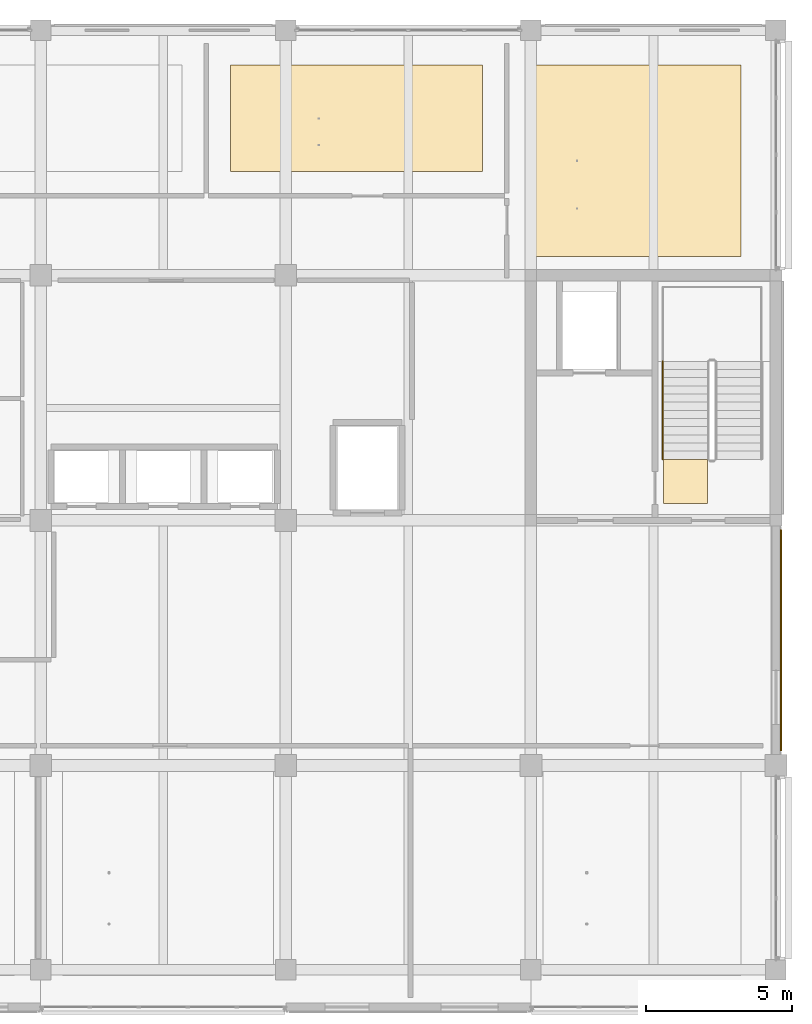
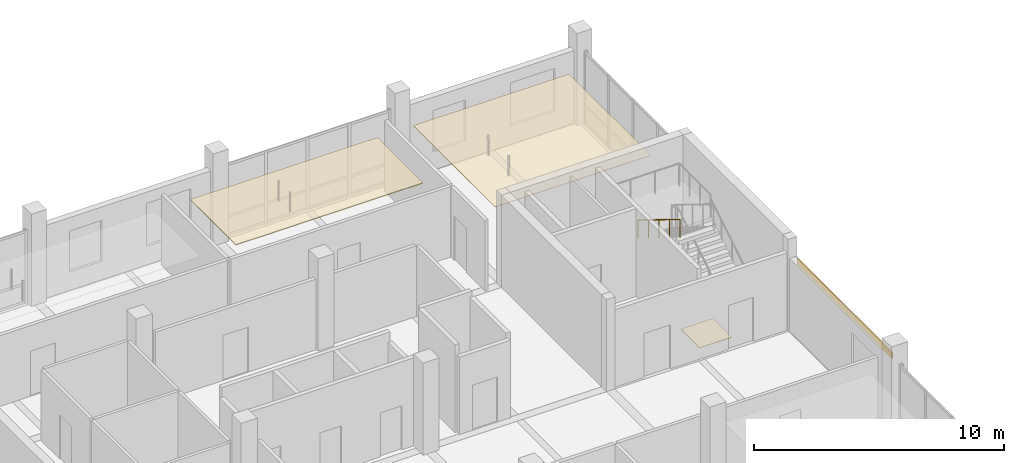
# One storey, part 28 of 32: 4 coverings, 1 railing.
"""IFC4 building model written with IfcOpenShell, lengths in metres."""

from ifc_helpers import new_model, si_unit, direction, frame, origin, origin_2d, place, context, subcontext, project, spatial, polyline, rectangle, circle, outline, extrude, material, layer, layer_set, type_object, element, save


model = new_model("IFC4")

# Units and contexts
model_context = context("Model", 3, precision=1e-05, world=origin(), true_north=direction((0.0, 1.0)))
body_context = subcontext(model_context, "Body", "Model", "MODEL_VIEW")
ifc_project = project(units=[si_unit("LENGTHUNIT", "METRE"), si_unit("AREAUNIT", "SQUARE_METRE"), si_unit("VOLUMEUNIT", "CUBIC_METRE"), si_unit("PLANEANGLEUNIT", "RADIAN"), si_unit("MASSUNIT", "GRAM", prefix="KILO")], contexts=[model_context])

# Site, building, storey
site_placement = place(None, origin())
site = spatial("IfcSite", under=ifc_project, at=site_placement, CompositionType="ELEMENT")
building_placement = place(site_placement, origin())
building = spatial("IfcBuilding", under=site, at=building_placement, Name="Telukmera Botanical Conservatory", CompositionType="ELEMENT")
storey_placement = place(building_placement, frame((0.0, 0.0, 42.0)))
storey = spatial("IfcBuildingStorey", under=building, at=storey_placement, Name="L09", CompositionType="ELEMENT", Elevation=42.0)

# Coverings
ifc_material_1 = material(Name="Mineral fibre acoustic ceiling")
ifc_layer_1 = layer(ifc_material_1, 0.030029296875)
ifc_layer_set_1 = layer_set([ifc_layer_1], Name="Mineral fibre acoustic ceiling")
covering_type_1 = type_object("IfcCoveringType", Name="COV-CEIL-30", PredefinedType="CEILING", material=ifc_layer_set_1)
covering_1_placement = place(storey_placement, frame((0.0, 0.0, 3.320068359375)))
element("IfcCovering", 1, at=covering_1_placement, inside=storey, type_object=covering_type_1, Name="L09 Botanical Research Write-Up Studio Suspended Acoustic Ceiling", PredefinedType="CEILING", context=body_context, shape_type="SweptSolid", body=[
    extrude(outline(polyline([(92.39990234375, 35.050048828125), (99.60009765625, 35.050048828125), (99.60009765625, 41.60009765625), (92.39990234375, 41.60009765625), (92.39990234375, 35.050048828125)])), origin(), (0.0, 0.0, 1.0), 0.030029296875),
])
ifc_material_2 = material(Name="Perforated gypsum acoustic ceiling")
ifc_layer_2 = layer(ifc_material_2, 0.0400390625)
ifc_layer_set_2 = layer_set([ifc_layer_2], Name="Perforated gypsum acoustic ceiling")
covering_type_2 = type_object("IfcCoveringType", Name="COV-CEIL-40", PredefinedType="CEILING", material=ifc_layer_set_2)
covering_2_placement = place(storey_placement, frame((0.0, 0.0, 3.31005859375)))
element("IfcCovering", 2, at=covering_2_placement, inside=storey, type_object=covering_type_2, Name="L09 Isotope Ratio Spectroscopy Room Suspended Acoustic Ceiling", PredefinedType="CEILING", context=body_context, shape_type="SweptSolid", body=[
    extrude(outline(polyline([(82.10009765625, 37.949951171875), (90.75, 37.949951171875), (90.75, 41.60009765625), (82.10009765625, 41.60009765625), (82.10009765625, 37.949951171875)])), origin(), (0.0, 0.0, 1.0), 0.0400390625),
])
ifc_material_3 = material(Name="Honed granite non-slip flooring", Category="masonry")
ifc_layer_3 = layer(ifc_material_3, 0.011962890625)
ifc_layer_set_3 = layer_set([ifc_layer_3], Name="Honed granite non-slip flooring")
covering_type_3 = type_object("IfcCoveringType", Name="COV-FLR-12", PredefinedType="FLOORING", material=ifc_layer_set_3)
covering_3_placement = place(storey_placement, origin())
element("IfcCovering", 3, at=covering_3_placement, inside=storey, type_object=covering_type_3, Name="L09 ST2 Non-Slip Stair Landing Finish", PredefinedType="FLOORING", context=body_context, shape_type="SweptSolid", body=[
    extrude(outline(polyline([(98.449951171875, 26.570068359375), (98.449951171875, 28.0849609375), (96.949951171875, 28.0849609375), (96.949951171875, 26.570068359375), (98.449951171875, 26.570068359375)])), origin(), (0.0, 0.0, 1.0), 0.011962890625),
])
ifc_material_4 = material(Name="Terracotta-faced precast concrete C40/50", Category="masonry")
ifc_layer_4 = layer(ifc_material_4, 0.06005859375)
ifc_layer_set_4 = layer_set([ifc_layer_4], Name="Terracotta-faced precast concrete C40/50")
covering_type_4 = type_object("IfcCoveringType", Name="Polychrome Terracotta Facade Band Cladding", PredefinedType="CLADDING", material=ifc_layer_set_4)
covering_4_placement = place(storey_placement, frame((100.969970703125, 21.887451171875, 3.22998046875), z_axis=(0.0, 0.0, 1.0), x_axis=(0.0, 1.0, 0.0)))
element("IfcCovering", 4, at=covering_4_placement, inside=storey, type_object=covering_type_4, Name="Polychrome Terracotta Band V4:L09:E2", PredefinedType="CLADDING", context=body_context, shape_type="SweptSolid", body=[
    extrude(rectangle(XDim=7.5810546875, YDim=0.06005859375, at=origin_2d()), origin(), (0.0, 0.0, 1.0), 0.280029296875),
])

# Railing
ifc_material_5 = material(Name="Stainless steel 316", Category="steel")
railing_type = type_object("IfcRailingType", Name="RL-HAND-900", PredefinedType="HANDRAIL", material=ifc_material_5)
railing_placement = place(storey_placement, frame((96.919921875, 31.449951171875, 2.423095703125)))
element("IfcRailing", 5, at=railing_placement, inside=storey, type_object=railing_type, Name="L09 ST2 stair handrail 2", PredefinedType="HANDRAIL", context=body_context, shape_type="SweptSolid", body=[
    extrude(circle(Radius=0.02392578125, at=origin_2d()), frame((0.0, 0.0, 0.8759765625), z_axis=(0.0, -0.850606129759, 0.525803396734), x_axis=(1.0, 0.0, 0.0)), (0.0, 0.0, 1.0), 3.949951171875),
    extrude(circle(Radius=0.02099609375, at=origin_2d()), origin(), (0.0, 0.0, 1.0), 0.851806640625),
    extrude(circle(Radius=0.02099609375, at=origin_2d()), frame((0.0, -0.83984375, 0.519287109375)), (0.0, 0.0, 1.0), 0.851806640625),
    extrude(circle(Radius=0.02099609375, at=origin_2d()), frame((0.0, -1.679931640625, 1.03857421875)), (0.0, 0.0, 1.0), 0.851806640625),
    extrude(circle(Radius=0.02099609375, at=origin_2d()), frame((0.0, -2.52001953125, 1.5576171875)), (0.0, 0.0, 1.0), 0.851806640625),
    extrude(circle(Radius=0.02099609375, at=origin_2d()), frame((0.0, -3.35986328125, 2.076904296875)), (0.0, 0.0, 1.0), 0.851806640625),
])

save(model, "model.ifc")
